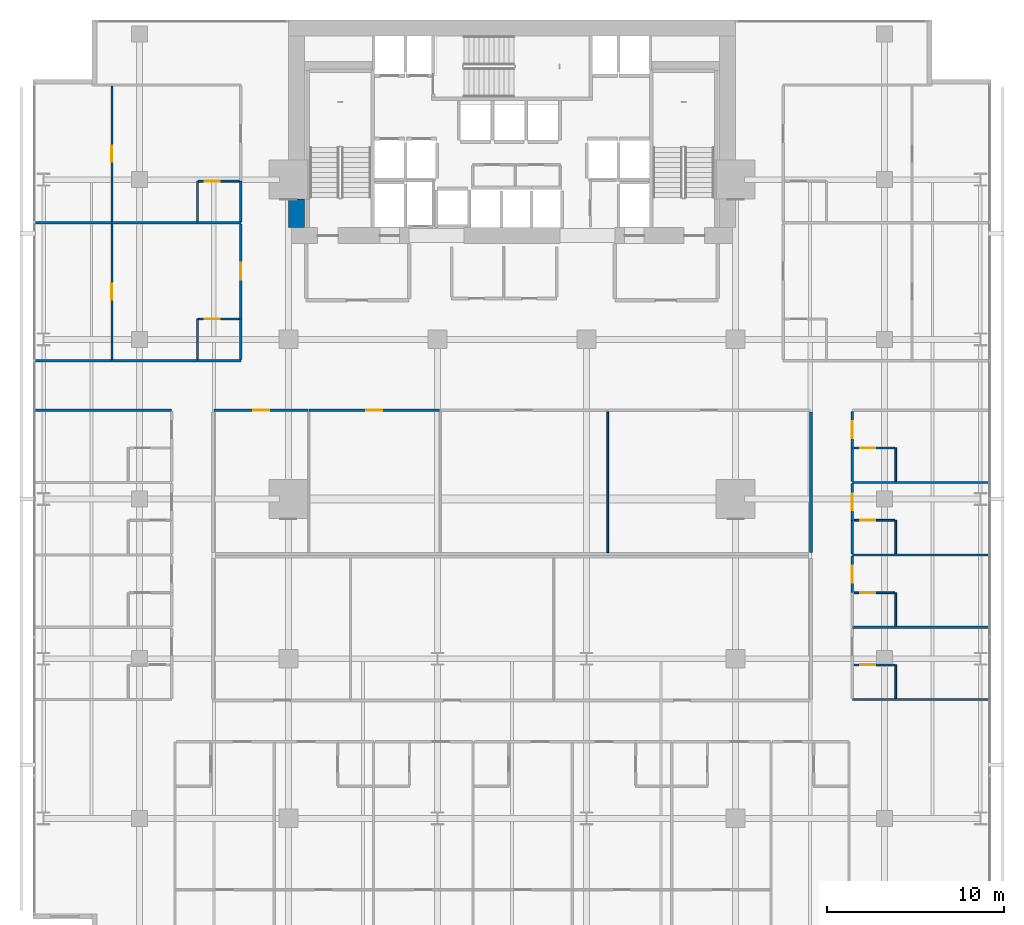
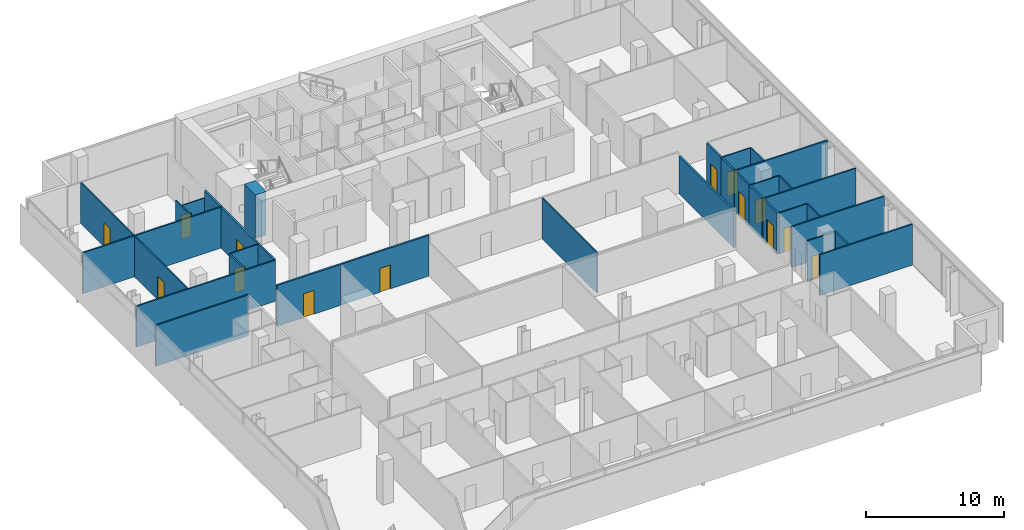
# One storey, part 35 of 41: 34 walls, 14 doors, 14 openings.
"""IFC4 building model written with IfcOpenShell, lengths in metres."""

from ifc_helpers import new_model, si_unit, direction, frame, frame_2d, origin, place, context, subcontext, project, spatial, rectangle, extrude, material, layer, layer_set, type_object, element, fill, save


model = new_model("IFC4")

# Units and contexts
model_context = context("Model", 3, precision=1e-05, world=origin(), true_north=direction((0.0, 1.0)))
body_context = subcontext(model_context, "Body", "Model", "MODEL_VIEW")
ifc_project = project(units=[si_unit("LENGTHUNIT", "METRE"), si_unit("AREAUNIT", "SQUARE_METRE"), si_unit("VOLUMEUNIT", "CUBIC_METRE"), si_unit("PLANEANGLEUNIT", "RADIAN"), si_unit("MASSUNIT", "GRAM", prefix="KILO")], contexts=[model_context])

# Site, building, storey
site_placement = place(None, origin())
site = spatial("IfcSite", under=ifc_project, at=site_placement, CompositionType="ELEMENT")
building_placement = place(site_placement, origin())
building = spatial("IfcBuilding", under=site, at=building_placement, Name="Maruvema Waterfront Hotel and Observation Tower", CompositionType="ELEMENT")
storey_placement = place(building_placement, frame((0.0, 0.0, 61.60009765625)))
storey = spatial("IfcBuildingStorey", under=building, at=storey_placement, Name="L14", CompositionType="ELEMENT", Elevation=61.60009765625)

# Wall
ifc_material_1 = material(Name="Twin-stud acoustic gypsum drywall", Category="gypsum")
ifc_layer_1 = layer(ifc_material_1, 0.14990234375, Name="Acoustic Corridor and Suite Demising Wall 150 mm")
ifc_layer_set_1 = layer_set([ifc_layer_1], Name="Twin-stud acoustic gypsum drywall")
wall_type_1 = type_object("IfcWallType", Name="Acoustic Corridor and Suite Demising Wall 150 mm", PredefinedType="PARTITIONING", material=ifc_layer_set_1)
wall_1_placement = place(storey_placement, frame((54.64990234375, 23.97998046875, 0.0), z_axis=(0.0, 0.0, 1.0), x_axis=(0.0, 1.0, 0.0)))
element("IfcWall", 1, at=wall_1_placement, inside=storey, type_object=wall_type_1, Name="L14 L14-INTN East Wall 024", PredefinedType="PARTITIONING", context=body_context, shape_type="SweptSolid", body=[
    extrude(rectangle(XDim=7.93994140625, YDim=0.14990234375, at=frame_2d((3.969970703125, 0.0))), origin(), (0.0, 0.0, 1.0), 3.29296875),
])

# Wall, opening, door
wall_2_placement = place(storey_placement, frame((21.010009765625, 32.0, 0.0), z_axis=(0.0, 0.0, 1.0), x_axis=(1.0, 0.0, 0.0)))
wall_2 = element("IfcWall", 2, at=wall_2_placement, inside=storey, type_object=wall_type_1, Name="L14 L14-INTN Front 1 025", PredefinedType="PARTITIONING", context=body_context, shape_type="SweptSolid", body=[
    extrude(rectangle(XDim=5.302001953125, YDim=0.14990234375, at=frame_2d((2.65087890625, 0.0))), origin(), (0.0, 0.0, 1.0), 3.60986328125),
])
opening_1_placement = place(wall_2_placement, frame((2.200927734375, 0.0, 0.0)))
opening_1 = element("IfcOpeningElement", 3, at=opening_1_placement, cuts=wall_2, Name="Opening DR-090", PredefinedType="OPENING", context=body_context, shape_type="SweptSolid", body=[
    extrude(rectangle(XDim=0.89990234375, YDim=2.10009765625, at=frame_2d((0.449951171875, 1.050048828125))), frame((0.0, 0.0849609375, 0.0), z_axis=(0.0, -1.0, 0.0), x_axis=(1.0, 0.0, 0.0)), (0.0, 0.0, 1.0), 0.169921875),
])
ifc_material_2 = material(Name="Solid-core lacquered timber leaf", Category="wood")
door_type_1 = type_object("IfcDoorType", Name="Accessible Toilet and Room Door 900x2100 mm", OperationType="NOTDEFINED", PredefinedType="DOOR", material=ifc_material_2)
door_1_placement = place(opening_1_placement, origin())
door_1 = element("IfcDoor", 4, at=door_1_placement, inside=storey, type_object=door_type_1, Name="L14 Conference Salon 1 Door", OperationType="SINGLE_SWING_RIGHT", OverallHeight=2.10009765625, OverallWidth=0.89990234375, PredefinedType="DOOR", context=body_context, shape_type="SweptSolid", body=[
    extrude(rectangle(XDim=0.89990234375, YDim=2.10009765625, at=frame_2d((0.449951171875, 1.050048828125))), frame((0.0, 0.02490234375, 0.0), z_axis=(0.0, -1.0, 0.0), x_axis=(1.0, 0.0, 0.0)), (0.0, 0.0, 1.0), 0.050048828125),
])
fill(opening_1, door_1)

wall_3_placement = place(storey_placement, frame((26.3720703125, 32.0, 0.0), z_axis=(0.0, 0.0, 1.0), x_axis=(1.0, 0.0, 0.0)))
wall_3 = element("IfcWall", 5, at=wall_3_placement, inside=storey, type_object=wall_type_1, Name="L14 L14-INTN Front 2 027", PredefinedType="PARTITIONING", context=body_context, shape_type="SweptSolid", body=[
    extrude(rectangle(XDim=7.35400390625, YDim=0.14990234375, at=frame_2d((3.677001953125, 0.0))), origin(), (0.0, 0.0, 1.0), 3.60986328125),
])
opening_2_placement = place(wall_3_placement, frame((3.22705078125, 0.0, 0.0)))
opening_2 = element("IfcOpeningElement", 6, at=opening_2_placement, cuts=wall_3, Name="Opening DR-090", PredefinedType="OPENING", context=body_context, shape_type="SweptSolid", body=[
    extrude(rectangle(XDim=0.89990234375, YDim=2.10009765625, at=frame_2d((0.449951171875, 1.050048828125))), frame((0.0, 0.0849609375, 0.0), z_axis=(0.0, -1.0, 0.0), x_axis=(1.0, 0.0, 0.0)), (0.0, 0.0, 1.0), 0.169921875),
])
door_2_placement = place(opening_2_placement, origin())
door_2 = element("IfcDoor", 7, at=door_2_placement, inside=storey, type_object=door_type_1, Name="L14 Conference Salon 2 Door", OperationType="SINGLE_SWING_LEFT", OverallHeight=2.10009765625, OverallWidth=0.89990234375, PredefinedType="DOOR", context=body_context, shape_type="SweptSolid", body=[
    extrude(rectangle(XDim=0.89990234375, YDim=2.10009765625, at=frame_2d((0.449951171875, 1.050048828125))), frame((0.0, 0.02490234375, 0.0), z_axis=(0.0, -1.0, 0.0), x_axis=(1.0, 0.0, 0.0)), (0.0, 0.0, 1.0), 0.050048828125),
])
fill(opening_2, door_2)

wall_4_placement = place(storey_placement, frame((56.97998046875, 21.719970703125, 0.0), z_axis=(0.0, 0.0, 1.0), x_axis=(0.0, 1.0, 0.0)))
wall_4 = element("IfcWall", 8, at=wall_4_placement, inside=storey, type_object=wall_type_1, Name="L14 Room L14-E2 Corridor Wall 101", PredefinedType="PARTITIONING", context=body_context, shape_type="SweptSolid", body=[
    extrude(rectangle(XDim=2.070068359375, YDim=0.14990234375, at=frame_2d((1.03515625, 0.0))), origin(), (0.0, 0.0, 1.0), 3.60986328125),
])
opening_3_placement = place(wall_4_placement, frame((0.56005859375, 0.0, 0.0)))
opening_3 = element("IfcOpeningElement", 9, at=opening_3_placement, cuts=wall_4, Name="Opening DR-095", PredefinedType="OPENING", context=body_context, shape_type="SweptSolid", body=[
    extrude(rectangle(XDim=0.949951171875, YDim=2.14990234375, at=frame_2d((0.47509765625, 1.074951171875))), frame((0.0, 0.0849609375, 0.0), z_axis=(0.0, -1.0, 0.0), x_axis=(1.0, 0.0, 0.0)), (0.0, 0.0, 1.0), 0.169921875),
])
ifc_material_3 = material(Name="Acoustic solid-core hardwood timber leaf", Category="wood")
door_type_2 = type_object("IfcDoorType", Name="Guestroom Entrance Fire Door 950x2150 mm", OperationType="NOTDEFINED", PredefinedType="DOOR", material=ifc_material_3)
door_3_placement = place(opening_3_placement, frame((0.949951171875, 0.0, 0.0), z_axis=(0.0, 0.0, 1.0), x_axis=(-1.0, 0.0, 0.0)))
door_3 = element("IfcDoor", 10, at=door_3_placement, inside=storey, type_object=door_type_2, Name="L14 Room L14-E2 Entrance Door", OperationType="SINGLE_SWING_RIGHT", OverallHeight=2.14990234375, OverallWidth=0.949951171875, PredefinedType="DOOR", context=body_context, shape_type="SweptSolid", body=[
    extrude(rectangle(XDim=0.949951171875, YDim=2.14990234375, at=frame_2d((0.47509765625, 1.074951171875))), frame((0.0, 0.02490234375, 0.0), z_axis=(0.0, -1.0, 0.0), x_axis=(1.0, 0.0, 0.0)), (0.0, 0.0, 1.0), 0.050048828125),
])
fill(opening_3, door_3)

# Wall
wall_5_placement = place(storey_placement, frame((56.97998046875, 23.909912109375, 0.0), z_axis=(0.0, 0.0, 1.0), x_axis=(0.0, 1.0, 0.0)))
element("IfcWall", 11, at=wall_5_placement, inside=storey, type_object=wall_type_1, Name="L14 Bath L14-E3 Wall 110", PredefinedType="PARTITIONING", context=body_context, shape_type="SweptSolid", body=[
    extrude(rectangle(XDim=1.89013671875, YDim=0.14990234375, at=frame_2d((0.945068359375, 0.0))), origin(), (0.0, 0.0, 1.0), 3.60986328125),
])

# Wall, opening, door
wall_6_placement = place(storey_placement, frame((56.97998046875, 25.800048828125, 0.0), z_axis=(0.0, 0.0, 1.0), x_axis=(0.0, 1.0, 0.0)))
wall_6 = element("IfcWall", 12, at=wall_6_placement, inside=storey, type_object=wall_type_1, Name="L14 Room L14-E3 Corridor Wall 111", PredefinedType="PARTITIONING", context=body_context, shape_type="SweptSolid", body=[
    extrude(rectangle(XDim=2.070068359375, YDim=0.14990234375, at=frame_2d((1.03515625, 0.0))), origin(), (0.0, 0.0, 1.0), 3.60986328125),
])
opening_4_placement = place(wall_6_placement, frame((0.56005859375, 0.0, 0.0)))
opening_4 = element("IfcOpeningElement", 13, at=opening_4_placement, cuts=wall_6, Name="Opening DR-095", PredefinedType="OPENING", context=body_context, shape_type="SweptSolid", body=[
    extrude(rectangle(XDim=0.949951171875, YDim=2.14990234375, at=frame_2d((0.47509765625, 1.074951171875))), frame((0.0, 0.0849609375, 0.0), z_axis=(0.0, -1.0, 0.0), x_axis=(1.0, 0.0, 0.0)), (0.0, 0.0, 1.0), 0.169921875),
])
door_4_placement = place(opening_4_placement, frame((0.949951171875, 0.0, 0.0), z_axis=(0.0, 0.0, 1.0), x_axis=(-1.0, 0.0, 0.0)))
door_4 = element("IfcDoor", 14, at=door_4_placement, inside=storey, type_object=door_type_2, Name="L14 Room L14-E3 Entrance Door", OperationType="SINGLE_SWING_RIGHT", OverallHeight=2.14990234375, OverallWidth=0.949951171875, PredefinedType="DOOR", context=body_context, shape_type="SweptSolid", body=[
    extrude(rectangle(XDim=0.949951171875, YDim=2.14990234375, at=frame_2d((0.47509765625, 1.074951171875))), frame((0.0, 0.02490234375, 0.0), z_axis=(0.0, -1.0, 0.0), x_axis=(1.0, 0.0, 0.0)), (0.0, 0.0, 1.0), 0.050048828125),
])
fill(opening_4, door_4)

# Wall
wall_7_placement = place(storey_placement, frame((56.97998046875, 27.989990234375, 0.0), z_axis=(0.0, 0.0, 1.0), x_axis=(0.0, 1.0, 0.0)))
element("IfcWall", 15, at=wall_7_placement, inside=storey, type_object=wall_type_1, Name="L14 Bath L14-E4 Wall 120", PredefinedType="PARTITIONING", context=body_context, shape_type="SweptSolid", body=[
    extrude(rectangle(XDim=1.889892578125, YDim=0.14990234375, at=frame_2d((0.94482421875, 0.0))), origin(), (0.0, 0.0, 1.0), 3.60986328125),
])

# Wall, opening, door
wall_8_placement = place(storey_placement, frame((56.97998046875, 29.8798828125, 0.0), z_axis=(0.0, 0.0, 1.0), x_axis=(0.0, 1.0, 0.0)))
wall_8 = element("IfcWall", 16, at=wall_8_placement, inside=storey, type_object=wall_type_1, Name="L14 Room L14-E4 Corridor Wall 121", PredefinedType="PARTITIONING", context=body_context, shape_type="SweptSolid", body=[
    extrude(rectangle(XDim=2.06005859375, YDim=0.14990234375, at=frame_2d((1.030029296875, 0.0))), origin(), (0.0, 0.0, 1.0), 3.60986328125),
])
opening_5_placement = place(wall_8_placement, frame((0.554931640625, 0.0, 0.0)))
opening_5 = element("IfcOpeningElement", 17, at=opening_5_placement, cuts=wall_8, Name="Opening DR-095", PredefinedType="OPENING", context=body_context, shape_type="SweptSolid", body=[
    extrude(rectangle(XDim=0.949951171875, YDim=2.14990234375, at=frame_2d((0.47509765625, 1.074951171875))), frame((0.0, 0.0849609375, 0.0), z_axis=(0.0, -1.0, 0.0), x_axis=(1.0, 0.0, 0.0)), (0.0, 0.0, 1.0), 0.169921875),
])
door_5_placement = place(opening_5_placement, frame((0.949951171875, 0.0, 0.0), z_axis=(0.0, 0.0, 1.0), x_axis=(-1.0, 0.0, 0.0)))
door_5 = element("IfcDoor", 18, at=door_5_placement, inside=storey, type_object=door_type_2, Name="L14 Room L14-E4 Entrance Door", OperationType="SINGLE_SWING_RIGHT", OverallHeight=2.14990234375, OverallWidth=0.949951171875, PredefinedType="DOOR", context=body_context, shape_type="SweptSolid", body=[
    extrude(rectangle(XDim=0.949951171875, YDim=2.14990234375, at=frame_2d((0.47509765625, 1.074951171875))), frame((0.0, 0.02490234375, 0.0), z_axis=(0.0, -1.0, 0.0), x_axis=(1.0, 0.0, 0.0)), (0.0, 0.0, 1.0), 0.050048828125),
])
fill(opening_5, door_5)

# Wall
wall_9_placement = place(storey_placement, frame((22.52001953125, 34.860107421875, 0.0), z_axis=(0.0, 0.0, 1.0), x_axis=(0.0, 1.0, 0.0)))
element("IfcWall", 19, at=wall_9_placement, inside=storey, type_object=wall_type_1, Name="L14 Bath L14-NW1 Wall 128", PredefinedType="PARTITIONING", context=body_context, shape_type="SweptSolid", body=[
    extrude(rectangle(XDim=2.289794921875, YDim=0.14990234375, at=frame_2d((1.14501953125, 0.0))), origin(), (0.0, 0.0, 1.0), 3.60986328125),
])

# Wall, opening, door
wall_10_placement = place(storey_placement, frame((22.52001953125, 37.14990234375, 0.0), z_axis=(0.0, 0.0, 1.0), x_axis=(0.0, 1.0, 0.0)))
wall_10 = element("IfcWall", 20, at=wall_10_placement, inside=storey, type_object=wall_type_1, Name="L14 Room L14-NW1 Corridor Wall 129", PredefinedType="PARTITIONING", context=body_context, shape_type="SweptSolid", body=[
    extrude(rectangle(XDim=5.35888671875, YDim=0.14990234375, at=frame_2d((2.679443359375, 0.0))), origin(), (0.0, 0.0, 1.0), 3.60986328125),
])
opening_6_placement = place(wall_10_placement, frame((2.204345703125, 0.0, 0.0)))
opening_6 = element("IfcOpeningElement", 21, at=opening_6_placement, cuts=wall_10, Name="Opening DR-095", PredefinedType="OPENING", context=body_context, shape_type="SweptSolid", body=[
    extrude(rectangle(XDim=0.949951171875, YDim=2.14990234375, at=frame_2d((0.47509765625, 1.074951171875))), frame((0.0, 0.0849609375, 0.0), z_axis=(0.0, -1.0, 0.0), x_axis=(1.0, 0.0, 0.0)), (0.0, 0.0, 1.0), 0.169921875),
])
door_6_placement = place(opening_6_placement, origin())
door_6 = element("IfcDoor", 22, at=door_6_placement, inside=storey, type_object=door_type_2, Name="L14 Room L14-NW1 Entrance Door", OperationType="SINGLE_SWING_RIGHT", OverallHeight=2.14990234375, OverallWidth=0.949951171875, PredefinedType="DOOR", context=body_context, shape_type="SweptSolid", body=[
    extrude(rectangle(XDim=0.949951171875, YDim=2.14990234375, at=frame_2d((0.47509765625, 1.074951171875))), frame((0.0, 0.02490234375, 0.0), z_axis=(0.0, -1.0, 0.0), x_axis=(1.0, 0.0, 0.0)), (0.0, 0.0, 1.0), 0.050048828125),
])
fill(opening_6, door_6)

# Walls
wall_11_placement = place(storey_placement, frame((22.52001953125, 42.628662109375, 0.0), z_axis=(0.0, 0.0, 1.0), x_axis=(0.0, 1.0, 0.0)))
element("IfcWall", 23, at=wall_11_placement, inside=storey, type_object=wall_type_1, Name="L14 Bath L14-NW2 Wall 140", PredefinedType="PARTITIONING", context=body_context, shape_type="SweptSolid", body=[
    extrude(rectangle(XDim=2.2900390625, YDim=0.14990234375, at=frame_2d((1.14501953125, 0.0))), origin(), (0.0, 0.0, 1.0), 3.60986328125),
])
ifc_material_4 = material(Name="Concrete C80/95", Category="concrete")
ifc_layer_2 = layer(ifc_material_4, 0.89990234375, Name="Core Shear Wall 900 mm")
ifc_layer_set_2 = layer_set([ifc_layer_2], Name="Concrete C80/95")
wall_type_2 = type_object("IfcWallType", Name="Core Shear Wall 900 mm", PredefinedType="SHEAR", material=ifc_layer_set_2)
wall_12_placement = place(storey_placement, frame((25.64990234375, 42.300048828125, 0.0), z_axis=(0.0, 0.0, 1.0), x_axis=(0.0, 1.0, 0.0)))
element("IfcWall", 24, at=wall_12_placement, inside=storey, type_object=wall_type_2, Name="L14 West-South Core Shear Wall", PredefinedType="SHEAR", context=body_context, shape_type="SweptSolid", body=[
    extrude(rectangle(XDim=1.599853515625, YDim=0.89990234375, at=frame_2d((0.7998046875, 0.0))), origin(), (0.0, 0.0, 1.0), 3.849853515625),
])
ifc_material_5 = material(Name="Moisture-resistant cement-board drywall", Category="gypsum")
ifc_layer_3 = layer(ifc_material_5, 0.10009765625, Name="En-Suite Moisture-Resistant Partition 100 mm")
ifc_layer_set_3 = layer_set([ifc_layer_3], Name="Moisture-resistant cement-board drywall")
wall_type_3 = type_object("IfcWallType", Name="En-Suite Moisture-Resistant Partition 100 mm", PredefinedType="PARTITIONING", material=ifc_layer_set_3)
wall_13_placement = place(storey_placement, frame((43.19189453125, 23.97998046875, 0.0), z_axis=(0.0, 0.0, 1.0), x_axis=(0.0, 1.0, 0.0)))
element("IfcWall", 25, at=wall_13_placement, inside=storey, type_object=wall_type_3, Name="L14 L14-INTN Split 3 030", PredefinedType="PARTITIONING", context=body_context, shape_type="SweptSolid", body=[
    extrude(rectangle(XDim=7.93994140625, YDim=0.10009765625, at=frame_2d((3.969970703125, 0.0))), origin(), (0.0, 0.0, 1.0), 3.60986328125),
])
wall_14_placement = place(storey_placement, frame((59.429931640625, 15.760009765625, 0.0), z_axis=(0.0, 0.0, 1.0), x_axis=(0.0, 1.0, 0.0)))
element("IfcWall", 26, at=wall_14_placement, inside=storey, type_object=wall_type_3, Name="L14 En-Suite L14-E1 E 092", PredefinedType="PARTITIONING", context=body_context, shape_type="SweptSolid", body=[
    extrude(rectangle(XDim=1.889892578125, YDim=0.10009765625, at=frame_2d((0.94482421875, 0.0))), origin(), (0.0, 0.0, 1.0), 3.60986328125),
])

# Wall, opening, door
wall_15_placement = place(storey_placement, frame((57.080078125, 17.64990234375, 0.0), z_axis=(0.0, 0.0, 1.0), x_axis=(1.0, 0.0, 0.0)))
wall_15 = element("IfcWall", 27, at=wall_15_placement, inside=storey, type_object=wall_type_3, Name="L14 En-Suite L14-E1 N 093", PredefinedType="PARTITIONING", context=body_context, shape_type="SweptSolid", body=[
    extrude(rectangle(XDim=2.2998046875, YDim=0.10009765625, at=frame_2d((1.14990234375, 0.0))), origin(), (0.0, 0.0, 1.0), 3.60986328125),
])
opening_7_placement = place(wall_15_placement, frame((0.35009765625, 0.0, 0.0)))
opening_7 = element("IfcOpeningElement", 28, at=opening_7_placement, cuts=wall_15, Name="Opening DR-085", PredefinedType="OPENING", context=body_context, shape_type="SweptSolid", body=[
    extrude(rectangle(XDim=0.85009765625, YDim=2.10009765625, at=frame_2d((0.425048828125, 1.050048828125))), frame((0.0, 0.06005859375, 0.0), z_axis=(0.0, -1.0, 0.0), x_axis=(1.0, 0.0, 0.0)), (0.0, 0.0, 1.0), 0.1201171875),
])
ifc_material_6 = material(Name="Moisture-resistant solid timber leaf", Category="wood")
door_type_3 = type_object("IfcDoorType", Name="En-Suite Bathroom Door 850x2100 mm", OperationType="NOTDEFINED", PredefinedType="DOOR", material=ifc_material_6)
door_7_placement = place(opening_7_placement, origin())
door_7 = element("IfcDoor", 29, at=door_7_placement, inside=storey, type_object=door_type_3, Name="L14 En-Suite L14-E1 Door", OperationType="SINGLE_SWING_LEFT", OverallHeight=2.10009765625, OverallWidth=0.85009765625, PredefinedType="DOOR", context=body_context, shape_type="SweptSolid", body=[
    extrude(rectangle(XDim=0.85009765625, YDim=2.10009765625, at=frame_2d((0.425048828125, 1.050048828125))), frame((0.0, 0.02490234375, 0.0), z_axis=(0.0, -1.0, 0.0), x_axis=(1.0, 0.0, 0.0)), (0.0, 0.0, 1.0), 0.050048828125),
])
fill(opening_7, door_7)

# Wall
wall_16_placement = place(storey_placement, frame((59.429931640625, 19.830078125, 0.0), z_axis=(0.0, 0.0, 1.0), x_axis=(0.0, 1.0, 0.0)))
element("IfcWall", 30, at=wall_16_placement, inside=storey, type_object=wall_type_3, Name="L14 En-Suite L14-E2 E 102", PredefinedType="PARTITIONING", context=body_context, shape_type="SweptSolid", body=[
    extrude(rectangle(XDim=1.889892578125, YDim=0.10009765625, at=frame_2d((0.94482421875, 0.0))), origin(), (0.0, 0.0, 1.0), 3.60986328125),
])

# Wall, opening, door
wall_17_placement = place(storey_placement, frame((57.080078125, 21.719970703125, 0.0), z_axis=(0.0, 0.0, 1.0), x_axis=(1.0, 0.0, 0.0)))
wall_17 = element("IfcWall", 31, at=wall_17_placement, inside=storey, type_object=wall_type_3, Name="L14 En-Suite L14-E2 N 103", PredefinedType="PARTITIONING", context=body_context, shape_type="SweptSolid", body=[
    extrude(rectangle(XDim=2.2998046875, YDim=0.10009765625, at=frame_2d((1.14990234375, 0.0))), origin(), (0.0, 0.0, 1.0), 3.60986328125),
])
opening_8_placement = place(wall_17_placement, frame((0.35009765625, 0.0, 0.0)))
opening_8 = element("IfcOpeningElement", 32, at=opening_8_placement, cuts=wall_17, Name="Opening DR-085", PredefinedType="OPENING", context=body_context, shape_type="SweptSolid", body=[
    extrude(rectangle(XDim=0.85009765625, YDim=2.10009765625, at=frame_2d((0.425048828125, 1.050048828125))), frame((0.0, 0.06005859375, 0.0), z_axis=(0.0, -1.0, 0.0), x_axis=(1.0, 0.0, 0.0)), (0.0, 0.0, 1.0), 0.1201171875),
])
door_8_placement = place(opening_8_placement, origin())
door_8 = element("IfcDoor", 33, at=door_8_placement, inside=storey, type_object=door_type_3, Name="L14 En-Suite L14-E2 Door", OperationType="SINGLE_SWING_LEFT", OverallHeight=2.10009765625, OverallWidth=0.85009765625, PredefinedType="DOOR", context=body_context, shape_type="SweptSolid", body=[
    extrude(rectangle(XDim=0.85009765625, YDim=2.10009765625, at=frame_2d((0.425048828125, 1.050048828125))), frame((0.0, 0.02490234375, 0.0), z_axis=(0.0, -1.0, 0.0), x_axis=(1.0, 0.0, 0.0)), (0.0, 0.0, 1.0), 0.050048828125),
])
fill(opening_8, door_8)

# Wall
wall_18_placement = place(storey_placement, frame((59.429931640625, 23.909912109375, 0.0), z_axis=(0.0, 0.0, 1.0), x_axis=(0.0, 1.0, 0.0)))
element("IfcWall", 34, at=wall_18_placement, inside=storey, type_object=wall_type_3, Name="L14 En-Suite L14-E3 E 112", PredefinedType="PARTITIONING", context=body_context, shape_type="SweptSolid", body=[
    extrude(rectangle(XDim=1.89013671875, YDim=0.10009765625, at=frame_2d((0.945068359375, 0.0))), origin(), (0.0, 0.0, 1.0), 3.60986328125),
])

# Wall, opening, door
wall_19_placement = place(storey_placement, frame((57.080078125, 25.800048828125, 0.0), z_axis=(0.0, 0.0, 1.0), x_axis=(1.0, 0.0, 0.0)))
wall_19 = element("IfcWall", 35, at=wall_19_placement, inside=storey, type_object=wall_type_3, Name="L14 En-Suite L14-E3 N 113", PredefinedType="PARTITIONING", context=body_context, shape_type="SweptSolid", body=[
    extrude(rectangle(XDim=2.2998046875, YDim=0.10009765625, at=frame_2d((1.14990234375, 0.0))), origin(), (0.0, 0.0, 1.0), 3.60986328125),
])
opening_9_placement = place(wall_19_placement, frame((0.35009765625, 0.0, 0.0)))
opening_9 = element("IfcOpeningElement", 36, at=opening_9_placement, cuts=wall_19, Name="Opening DR-085", PredefinedType="OPENING", context=body_context, shape_type="SweptSolid", body=[
    extrude(rectangle(XDim=0.85009765625, YDim=2.10009765625, at=frame_2d((0.425048828125, 1.050048828125))), frame((0.0, 0.06005859375, 0.0), z_axis=(0.0, -1.0, 0.0), x_axis=(1.0, 0.0, 0.0)), (0.0, 0.0, 1.0), 0.1201171875),
])
door_9_placement = place(opening_9_placement, origin())
door_9 = element("IfcDoor", 37, at=door_9_placement, inside=storey, type_object=door_type_3, Name="L14 En-Suite L14-E3 Door", OperationType="SINGLE_SWING_LEFT", OverallHeight=2.10009765625, OverallWidth=0.85009765625, PredefinedType="DOOR", context=body_context, shape_type="SweptSolid", body=[
    extrude(rectangle(XDim=0.85009765625, YDim=2.10009765625, at=frame_2d((0.425048828125, 1.050048828125))), frame((0.0, 0.02490234375, 0.0), z_axis=(0.0, -1.0, 0.0), x_axis=(1.0, 0.0, 0.0)), (0.0, 0.0, 1.0), 0.050048828125),
])
fill(opening_9, door_9)

# Wall
wall_20_placement = place(storey_placement, frame((59.429931640625, 27.989990234375, 0.0), z_axis=(0.0, 0.0, 1.0), x_axis=(0.0, 1.0, 0.0)))
element("IfcWall", 38, at=wall_20_placement, inside=storey, type_object=wall_type_3, Name="L14 En-Suite L14-E4 E 122", PredefinedType="PARTITIONING", context=body_context, shape_type="SweptSolid", body=[
    extrude(rectangle(XDim=1.889892578125, YDim=0.10009765625, at=frame_2d((0.94482421875, 0.0))), origin(), (0.0, 0.0, 1.0), 3.60986328125),
])

# Wall, opening, door
wall_21_placement = place(storey_placement, frame((57.080078125, 29.8798828125, 0.0), z_axis=(0.0, 0.0, 1.0), x_axis=(1.0, 0.0, 0.0)))
wall_21 = element("IfcWall", 39, at=wall_21_placement, inside=storey, type_object=wall_type_3, Name="L14 En-Suite L14-E4 N 123", PredefinedType="PARTITIONING", context=body_context, shape_type="SweptSolid", body=[
    extrude(rectangle(XDim=2.2998046875, YDim=0.10009765625, at=frame_2d((1.14990234375, 0.0))), origin(), (0.0, 0.0, 1.0), 3.60986328125),
])
opening_10_placement = place(wall_21_placement, frame((0.35009765625, 0.0, 0.0)))
opening_10 = element("IfcOpeningElement", 40, at=opening_10_placement, cuts=wall_21, Name="Opening DR-085", PredefinedType="OPENING", context=body_context, shape_type="SweptSolid", body=[
    extrude(rectangle(XDim=0.85009765625, YDim=2.10009765625, at=frame_2d((0.425048828125, 1.050048828125))), frame((0.0, 0.06005859375, 0.0), z_axis=(0.0, -1.0, 0.0), x_axis=(1.0, 0.0, 0.0)), (0.0, 0.0, 1.0), 0.1201171875),
])
door_10_placement = place(opening_10_placement, origin())
door_10 = element("IfcDoor", 41, at=door_10_placement, inside=storey, type_object=door_type_3, Name="L14 En-Suite L14-E4 Door", OperationType="SINGLE_SWING_LEFT", OverallHeight=2.10009765625, OverallWidth=0.85009765625, PredefinedType="DOOR", context=body_context, shape_type="SweptSolid", body=[
    extrude(rectangle(XDim=0.85009765625, YDim=2.10009765625, at=frame_2d((0.425048828125, 1.050048828125))), frame((0.0, 0.02490234375, 0.0), z_axis=(0.0, -1.0, 0.0), x_axis=(1.0, 0.0, 0.0)), (0.0, 0.0, 1.0), 0.050048828125),
])
fill(opening_10, door_10)

# Wall
wall_22_placement = place(storey_placement, frame((20.070068359375, 34.860107421875, 0.0), z_axis=(0.0, 0.0, 1.0), x_axis=(0.0, 1.0, 0.0)))
element("IfcWall", 42, at=wall_22_placement, inside=storey, type_object=wall_type_3, Name="L14 En-Suite L14-NW1 W 130", PredefinedType="PARTITIONING", context=body_context, shape_type="SweptSolid", body=[
    extrude(rectangle(XDim=2.289794921875, YDim=0.10009765625, at=frame_2d((1.14501953125, 0.0))), origin(), (0.0, 0.0, 1.0), 3.60986328125),
])

# Wall, opening, door
wall_23_placement = place(storey_placement, frame((20.1201171875, 37.14990234375, 0.0), z_axis=(0.0, 0.0, 1.0), x_axis=(1.0, 0.0, 0.0)))
wall_23 = element("IfcWall", 43, at=wall_23_placement, inside=storey, type_object=wall_type_3, Name="L14 En-Suite L14-NW1 N 131", PredefinedType="PARTITIONING", context=body_context, shape_type="SweptSolid", body=[
    extrude(rectangle(XDim=2.2998046875, YDim=0.10009765625, at=frame_2d((1.14990234375, 0.0))), origin(), (0.0, 0.0, 1.0), 3.60986328125),
])
opening_11_placement = place(wall_23_placement, frame((0.35009765625, 0.0, 0.0)))
opening_11 = element("IfcOpeningElement", 44, at=opening_11_placement, cuts=wall_23, Name="Opening DR-085", PredefinedType="OPENING", context=body_context, shape_type="SweptSolid", body=[
    extrude(rectangle(XDim=0.85009765625, YDim=2.10009765625, at=frame_2d((0.425048828125, 1.050048828125))), frame((0.0, 0.06005859375, 0.0), z_axis=(0.0, -1.0, 0.0), x_axis=(1.0, 0.0, 0.0)), (0.0, 0.0, 1.0), 0.1201171875),
])
door_11_placement = place(opening_11_placement, origin())
door_11 = element("IfcDoor", 45, at=door_11_placement, inside=storey, type_object=door_type_3, Name="L14 En-Suite L14-NW1 Door", OperationType="SINGLE_SWING_LEFT", OverallHeight=2.10009765625, OverallWidth=0.85009765625, PredefinedType="DOOR", context=body_context, shape_type="SweptSolid", body=[
    extrude(rectangle(XDim=0.85009765625, YDim=2.10009765625, at=frame_2d((0.425048828125, 1.050048828125))), frame((0.0, 0.02490234375, 0.0), z_axis=(0.0, -1.0, 0.0), x_axis=(1.0, 0.0, 0.0)), (0.0, 0.0, 1.0), 0.050048828125),
])
fill(opening_11, door_11)

wall_24_placement = place(storey_placement, frame((15.24951171875, 34.860107421875, 0.0), z_axis=(0.0, 0.0, 1.0), x_axis=(0.0, 1.0, 0.0)))
wall_24 = element("IfcWall", 46, at=wall_24_placement, inside=storey, type_object=wall_type_3, Name="L14 Suite L14-NW1 Split 132", PredefinedType="PARTITIONING", context=body_context, shape_type="SweptSolid", body=[
    extrude(rectangle(XDim=7.648681640625, YDim=0.10009765625, at=frame_2d((3.82421875, 0.0))), origin(), (0.0, 0.0, 1.0), 3.60986328125),
])
opening_12_placement = place(wall_24_placement, frame((3.374267578125, 0.0, 0.0)))
opening_12 = element("IfcOpeningElement", 47, at=opening_12_placement, cuts=wall_24, Name="Opening DR-090", PredefinedType="OPENING", context=body_context, shape_type="SweptSolid", body=[
    extrude(rectangle(XDim=0.89990234375, YDim=2.10009765625, at=frame_2d((0.449951171875, 1.050048828125))), frame((0.0, 0.06005859375, 0.0), z_axis=(0.0, -1.0, 0.0), x_axis=(1.0, 0.0, 0.0)), (0.0, 0.0, 1.0), 0.1201171875),
])
door_12_placement = place(opening_12_placement, origin())
door_12 = element("IfcDoor", 48, at=door_12_placement, inside=storey, type_object=door_type_1, Name="L14 Suite L14-NW1 Bedroom Door", OperationType="SINGLE_SWING_LEFT", OverallHeight=2.10009765625, OverallWidth=0.89990234375, PredefinedType="DOOR", context=body_context, shape_type="SweptSolid", body=[
    extrude(rectangle(XDim=0.89990234375, YDim=2.10009765625, at=frame_2d((0.449951171875, 1.050048828125))), frame((0.0, 0.02490234375, 0.0), z_axis=(0.0, -1.0, 0.0), x_axis=(1.0, 0.0, 0.0)), (0.0, 0.0, 1.0), 0.050048828125),
])
fill(opening_12, door_12)

# Wall
wall_25_placement = place(storey_placement, frame((20.070068359375, 42.628662109375, 0.0), z_axis=(0.0, 0.0, 1.0), x_axis=(0.0, 1.0, 0.0)))
element("IfcWall", 49, at=wall_25_placement, inside=storey, type_object=wall_type_3, Name="L14 En-Suite L14-NW2 W 142", PredefinedType="PARTITIONING", context=body_context, shape_type="SweptSolid", body=[
    extrude(rectangle(XDim=2.2900390625, YDim=0.10009765625, at=frame_2d((1.14501953125, 0.0))), origin(), (0.0, 0.0, 1.0), 3.60986328125),
])

# Wall, opening, door
wall_26_placement = place(storey_placement, frame((20.1201171875, 44.918701171875, 0.0), z_axis=(0.0, 0.0, 1.0), x_axis=(1.0, 0.0, 0.0)))
wall_26 = element("IfcWall", 50, at=wall_26_placement, inside=storey, type_object=wall_type_3, Name="L14 En-Suite L14-NW2 N 143", PredefinedType="PARTITIONING", context=body_context, shape_type="SweptSolid", body=[
    extrude(rectangle(XDim=2.2998046875, YDim=0.10009765625, at=frame_2d((1.14990234375, 0.0))), origin(), (0.0, 0.0, 1.0), 2.98779296875),
])
opening_13_placement = place(wall_26_placement, frame((0.35009765625, 0.0, 0.0)))
opening_13 = element("IfcOpeningElement", 51, at=opening_13_placement, cuts=wall_26, Name="Opening DR-085", PredefinedType="OPENING", context=body_context, shape_type="SweptSolid", body=[
    extrude(rectangle(XDim=0.85009765625, YDim=2.10009765625, at=frame_2d((0.425048828125, 1.050048828125))), frame((0.0, 0.06005859375, 0.0), z_axis=(0.0, -1.0, 0.0), x_axis=(1.0, 0.0, 0.0)), (0.0, 0.0, 1.0), 0.1201171875),
])
door_13_placement = place(opening_13_placement, origin())
door_13 = element("IfcDoor", 52, at=door_13_placement, inside=storey, type_object=door_type_3, Name="L14 En-Suite L14-NW2 Door", OperationType="SINGLE_SWING_LEFT", OverallHeight=2.10009765625, OverallWidth=0.85009765625, PredefinedType="DOOR", context=body_context, shape_type="SweptSolid", body=[
    extrude(rectangle(XDim=0.85009765625, YDim=2.10009765625, at=frame_2d((0.425048828125, 1.050048828125))), frame((0.0, 0.02490234375, 0.0), z_axis=(0.0, -1.0, 0.0), x_axis=(1.0, 0.0, 0.0)), (0.0, 0.0, 1.0), 0.050048828125),
])
fill(opening_13, door_13)

wall_27_placement = place(storey_placement, frame((15.24951171875, 42.628662109375, 0.0), z_axis=(0.0, 0.0, 1.0), x_axis=(0.0, 1.0, 0.0)))
wall_27 = element("IfcWall", 53, at=wall_27_placement, inside=storey, type_object=wall_type_3, Name="L14 Suite L14-NW2 Split 144", PredefinedType="PARTITIONING", context=body_context, shape_type="SweptSolid", body=[
    extrude(rectangle(XDim=7.64892578125, YDim=0.10009765625, at=frame_2d((3.824462890625, 0.0))), origin(), (0.0, 0.0, 1.0), 3.60986328125),
])
opening_14_placement = place(wall_27_placement, frame((3.37451171875, 0.0, 0.0)))
opening_14 = element("IfcOpeningElement", 54, at=opening_14_placement, cuts=wall_27, Name="Opening DR-090", PredefinedType="OPENING", context=body_context, shape_type="SweptSolid", body=[
    extrude(rectangle(XDim=0.89990234375, YDim=2.10009765625, at=frame_2d((0.449951171875, 1.050048828125))), frame((0.0, 0.06005859375, 0.0), z_axis=(0.0, -1.0, 0.0), x_axis=(1.0, 0.0, 0.0)), (0.0, 0.0, 1.0), 0.1201171875),
])
door_14_placement = place(opening_14_placement, origin())
door_14 = element("IfcDoor", 55, at=door_14_placement, inside=storey, type_object=door_type_1, Name="L14 Suite L14-NW2 Bedroom Door", OperationType="SINGLE_SWING_LEFT", OverallHeight=2.10009765625, OverallWidth=0.89990234375, PredefinedType="DOOR", context=body_context, shape_type="SweptSolid", body=[
    extrude(rectangle(XDim=0.89990234375, YDim=2.10009765625, at=frame_2d((0.449951171875, 1.050048828125))), frame((0.0, 0.02490234375, 0.0), z_axis=(0.0, -1.0, 0.0), x_axis=(1.0, 0.0, 0.0)), (0.0, 0.0, 1.0), 0.050048828125),
])
fill(opening_14, door_14)

# Walls
ifc_material_7 = material(Name="Acoustic gypsum plasterboard drywall", Category="gypsum")
ifc_layer_4 = layer(ifc_material_7, 0.125, Name="Guestroom Acoustic Demising Wall 125 mm")
ifc_layer_set_4 = layer_set([ifc_layer_4], Name="Acoustic gypsum plasterboard drywall")
wall_type_4 = type_object("IfcWallType", Name="Guestroom Acoustic Demising Wall 125 mm", PredefinedType="PARTITIONING", material=ifc_layer_set_4)
wall_28_placement = place(storey_placement, frame((56.97998046875, 15.699951171875, 0.0), z_axis=(0.0, 0.0, 1.0), x_axis=(1.0, 0.0, 0.0)))
element("IfcWall", 56, at=wall_28_placement, inside=storey, type_object=wall_type_4, Name="L14 E Bot End 083", PredefinedType="PARTITIONING", context=body_context, shape_type="SweptSolid", body=[
    extrude(rectangle(XDim=7.719970703125, YDim=0.125, at=frame_2d((3.85986328125, 0.0))), origin(), (0.0, 0.0, 1.0), 3.60986328125),
])
wall_29_placement = place(storey_placement, frame((10.89990234375, 32.0, 0.0), z_axis=(0.0, 0.0, 1.0), x_axis=(1.0, 0.0, 0.0)))
element("IfcWall", 57, at=wall_29_placement, inside=storey, type_object=wall_type_4, Name="L14 W Top End 084", PredefinedType="PARTITIONING", context=body_context, shape_type="SweptSolid", body=[
    extrude(rectangle(XDim=7.72021484375, YDim=0.125, at=frame_2d((3.860107421875, 0.0))), origin(), (0.0, 0.0, 1.0), 3.60986328125),
])
for number, where, z_axis, x_axis, name in (
    (58, (56.97998046875, 19.77001953125, 0.0), (0.0, 0.0, 1.0), (1.0, 0.0, 0.0), "L14 E Demising 2 095"),
    (59, (56.97998046875, 23.85009765625, 0.0), (0.0, 0.0, 1.0), (1.0, 0.0, 0.0), "L14 E Demising 3 105"),
    (60, (56.97998046875, 27.929931640625, 0.0), (0.0, 0.0, 1.0), (1.0, 0.0, 0.0), "L14 E Demising 4 115"),
):
    element("IfcWall", number, at=place(storey_placement, frame(where, z_axis=z_axis, x_axis=x_axis)), inside=storey, type_object=wall_type_4, Name=name, PredefinedType="PARTITIONING", context=body_context, shape_type="SweptSolid", body=[
        extrude(rectangle(XDim=7.719970703125, YDim=0.125, at=frame_2d((3.85986328125, 0.0))), origin(), (0.0, 0.0, 1.0), 3.60986328125),
    ])
for number, where, z_axis, x_axis, name in (
    (61, (10.89990234375, 34.800048828125, 0.0), (0.0, 0.0, 1.0), (1.0, 0.0, 0.0), "L14 NW Bot End 124"),
    (62, (10.89990234375, 42.568603515625, 0.0), (0.0, 0.0, 1.0), (1.0, 0.0, 0.0), "L14 NW Demising 2 138"),
):
    element("IfcWall", number, at=place(storey_placement, frame(where, z_axis=z_axis, x_axis=x_axis)), inside=storey, type_object=wall_type_4, Name=name, PredefinedType="PARTITIONING", context=body_context, shape_type="SweptSolid", body=[
        extrude(rectangle(XDim=11.6201171875, YDim=0.125, at=frame_2d((5.81005859375, 0.0))), origin(), (0.0, 0.0, 1.0), 3.60986328125),
    ])

save(model, "model.ifc")
